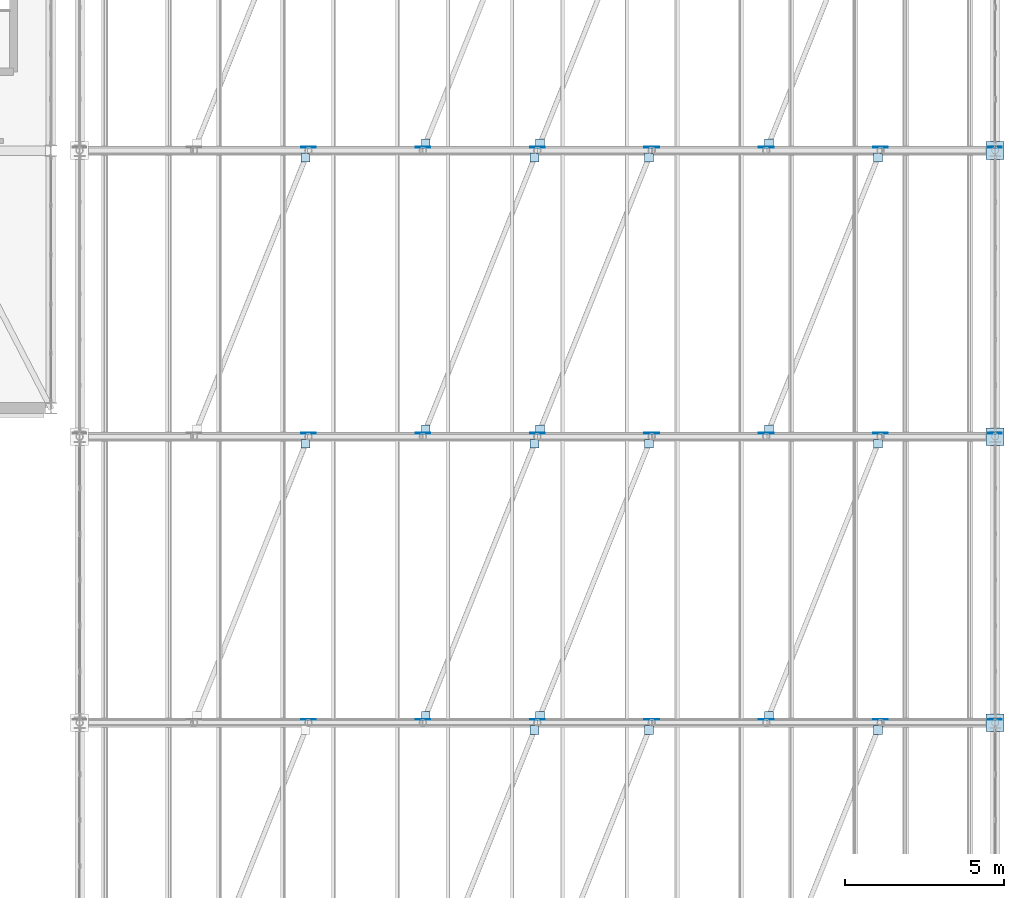
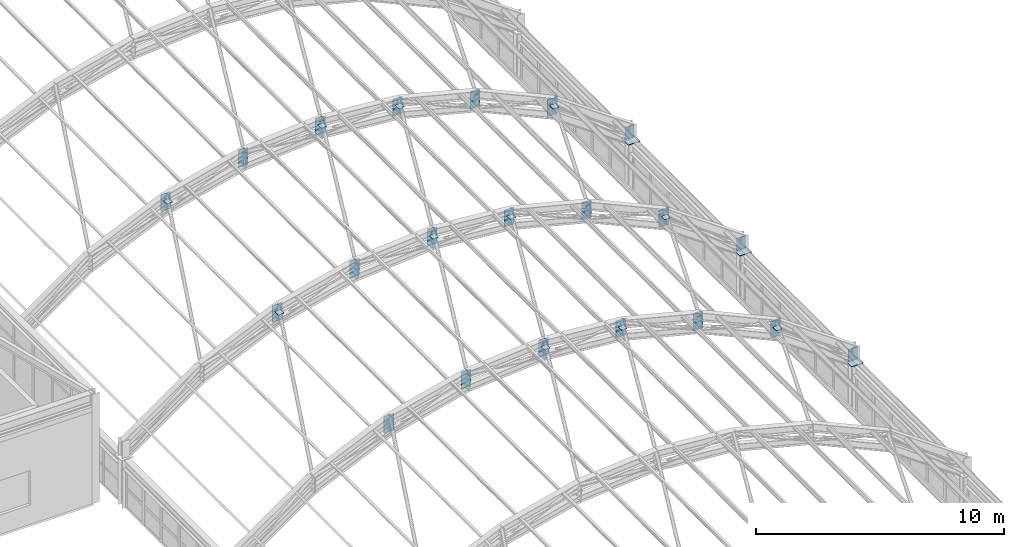
# One storey, part 112 of 121: 44 plates.
"""IFC4 building model written with IfcOpenShell, lengths in metres."""

import ifcopenshell
import ifcopenshell.guid

model = None  # the IFC model being written
_history = None  # IfcOwnerHistory: only IFC2X3 demands one
_inside = {}  # id of a spatial element -> (the spatial element, [elements in it])
_under = {}  # id of a project, library or spatial element -> (it, [spatial elements below it])
_declared = {}  # id of a project -> (the project, [libraries it declares])
_typed = {}  # id of a type object -> (the type object, [elements of that type])
_made_of = {}  # id of a material, layer set ... -> (it, [elements and type objects made of it])


def new_model(schema):
    """Start an empty IFC model of exactly this schema.

    Asked for "IFC4X3", IfcOpenShell would pick the latest addendum, in which some entities
    have other attributes; the version numbers below select the first issue.
    IFC2X3 requires an IfcOwnerHistory on every rooted entity: one is made here for all.
    """
    global model, _history
    if schema == "IFC4X3":
        model = ifcopenshell.file(schema_version=(4, 3, 0, 0))
    else:
        model = ifcopenshell.file(schema=schema)
    _inside.clear()
    _under.clear()
    _declared.clear()
    _typed.clear()
    _made_of.clear()
    _history = None
    if model.schema == "IFC2X3":
        org = make("IfcOrganization", Name="unknown")
        user = make(
            "IfcPersonAndOrganization",
            ThePerson=make("IfcPerson", FamilyName="unknown"),
            TheOrganization=org,
        )
        app = make(
            "IfcApplication",
            ApplicationDeveloper=org,
            Version="unknown",
            ApplicationFullName="unknown",
            ApplicationIdentifier="unknown",
        )
        _history = make(
            "IfcOwnerHistory",
            OwningUser=user,
            OwningApplication=app,
            ChangeAction="ADDED",
            CreationDate=0,
        )
    return model


def make(cls, **values):
    """One entity of the class cls with the attributes given. An attribute that is None is left unset."""
    return model.create_entity(
        cls, **{name: value for name, value in values.items() if value is not None}
    )


def rooted(cls, **values):
    """An entity with a GlobalId (a new one), such as an element, a storey or a relation."""
    return make(cls, GlobalId=ifcopenshell.guid.new(), OwnerHistory=_history, **values)


def si_unit(unit_type, name, prefix=None):
    """IfcSIUnit, for example si_unit("LENGTHUNIT", "METRE", prefix="MILLI")."""
    return make("IfcSIUnit", UnitType=unit_type, Prefix=prefix, Name=name)


def assignment(units):
    """IfcUnitAssignment: the units of a project."""
    return None if units is None else make("IfcUnitAssignment", Units=units)


def point(xyz):
    """IfcCartesianPoint."""
    return None if xyz is None else make("IfcCartesianPoint", Coordinates=xyz)


def direction(xyz):
    """IfcDirection."""
    return None if xyz is None else make("IfcDirection", DirectionRatios=xyz)


def frame(location, z_axis=None, x_axis=None):
    """IfcAxis2Placement3D, a coordinate frame: its origin and axes. An axis left out is left unset."""
    return make(
        "IfcAxis2Placement3D",
        Location=point(location),
        Axis=direction(z_axis),
        RefDirection=direction(x_axis),
    )


def frame_2d(location, x_axis=None):
    """IfcAxis2Placement2D, a coordinate frame in the plane: its origin and x axis."""
    return make(
        "IfcAxis2Placement2D", Location=point(location), RefDirection=direction(x_axis)
    )


def origin():
    """The frame at (0, 0, 0) with its axes left unset."""
    return frame((0.0, 0.0, 0.0))


def origin_2d():
    """The frame at (0, 0) in the plane with its x axis left unset."""
    return frame_2d((0.0, 0.0))


def place(relative_to, where):
    """IfcLocalPlacement: puts the frame where relative to a parent placement (None: the world)."""
    return make(
        "IfcLocalPlacement", PlacementRelTo=relative_to, RelativePlacement=where
    )


def context(
    kind, dimensions, precision=None, world=None, true_north=None, identifier=None
):
    """IfcGeometricRepresentationContext, for example the 3D "Model" context."""
    return make(
        "IfcGeometricRepresentationContext",
        ContextIdentifier=identifier,
        ContextType=kind,
        CoordinateSpaceDimension=dimensions,
        Precision=precision,
        WorldCoordinateSystem=world,
        TrueNorth=true_north,
    )


def subcontext(parent, identifier, kind, view, scale=None):
    """IfcGeometricRepresentationSubContext, for example "Body" below "Model"."""
    return make(
        "IfcGeometricRepresentationSubContext",
        ContextIdentifier=identifier,
        ContextType=kind,
        ParentContext=parent,
        TargetScale=scale,
        TargetView=view,
    )


def project(units=None, contexts=None):
    """IfcProject with its units and contexts."""
    return rooted(
        "IfcProject",
        Name="project",
        RepresentationContexts=contexts,
        UnitsInContext=assignment(units),
    )


def spatial(cls, under=None, at=None, **own):
    """A site, building, storey or space (cls), placed at a placement, below another one or the project."""
    s = rooted(cls, ObjectPlacement=at, **own)
    if under is not None:
        _under.setdefault(under.id(), (under, []))[1].append(s)
    return s


def profile(cls, at=None, kind="AREA", **sizes):
    """A parametric profile (cls). Its sizes go by their IFC names, for example OverallWidth=200.0."""
    return make(cls, ProfileType=kind, Position=at, **sizes)


def rectangle(**sizes):
    """IfcRectangleProfileDef."""
    return profile("IfcRectangleProfileDef", **sizes)


def extrude(swept, where, along, depth):
    """IfcExtrudedAreaSolid: the profile swept, set in the frame where, extruded along a direction by depth."""
    return make(
        "IfcExtrudedAreaSolid",
        SweptArea=swept,
        Position=where,
        ExtrudedDirection=direction(along),
        Depth=depth,
    )


def shape(context_of_items, identifier, shape_type, items):
    """IfcShapeRepresentation: the items that make up one representation, for example the "Body"."""
    return make(
        "IfcShapeRepresentation",
        ContextOfItems=context_of_items,
        RepresentationIdentifier=identifier,
        RepresentationType=shape_type,
        Items=items,
    )


def material(Name=None, Category=None):
    """IfcMaterial."""
    return make("IfcMaterial", Name=Name, Category=Category)


def layer(
    of_material, thickness, ventilated=None, Name=None, Category=None, Priority=None
):
    """IfcMaterialLayer: one layer of a wall or slab, of a material (None: an air gap)."""
    return make(
        "IfcMaterialLayer",
        Material=of_material,
        LayerThickness=thickness,
        IsVentilated=ventilated,
        Name=Name,
        Category=Category,
        Priority=Priority,
    )


def layer_set(layers, Name=None):
    """IfcMaterialLayerSet."""
    return make("IfcMaterialLayerSet", MaterialLayers=layers, LayerSetName=Name)


def made_of(thing, what):
    """Note that an element or type object is made of a material, layer set ...; save() writes the relation."""
    if what is not None:
        _made_of.setdefault(what.id(), (what, []))[1].append(thing)
    return thing


def type_object(cls, material=None, **own):
    """A type object (cls), such as IfcWallType, which elements share."""
    return made_of(rooted(cls, **own), material)


def element(
    cls,
    number,
    at=None,
    inside=None,
    cuts=None,
    type_object=None,
    material=None,
    context=None,
    identifier="Body",
    shape_type=None,
    held_by="IfcProductDefinitionShape",
    body=None,
    shapes=None,
    **own,
):
    """One element of the class cls, such as IfcWall. Its Tag is "e" and its number.

    at: its placement. inside: the storey or other place that contains it. cuts: it is an
    opening in that element (IfcRelVoidsElement). A single representation is given by context,
    identifier, shape_type and body (its items); several are given by shapes. held_by: the class
    of the entity that holds the representations. save() writes the other relations.
    """
    e = rooted(cls, Tag="e%d" % number, ObjectPlacement=at, **own)
    if body is not None:
        shapes = [shape(context, identifier, shape_type, body)]
    if shapes is not None:
        e.Representation = make(held_by, Representations=shapes)
    if inside is not None:
        _inside.setdefault(inside.id(), (inside, []))[1].append(e)
    if cuts is not None:
        rooted(
            "IfcRelVoidsElement", RelatingBuildingElement=cuts, RelatedOpeningElement=e
        )
    if type_object is not None:
        _typed.setdefault(type_object.id(), (type_object, []))[1].append(e)
    return made_of(e, material)


def aggregate(whole, parts):
    """IfcRelAggregates: a whole, such as a stair, and the parts it consists of."""
    return rooted("IfcRelAggregates", RelatingObject=whole, RelatedObjects=parts)


def save(model, path):
    """Write the relations noted so far, then the file.

    IfcRelAggregates (storeys below a building ...), IfcRelContainedInSpatialStructure (elements
    in a storey), IfcRelDefinesByType, IfcRelAssociatesMaterial and IfcRelDeclares: one each for
    every whole, place, type object, material and project.
    """
    for whole, parts in _under.values():
        aggregate(whole, parts)
    for where, things in _inside.values():
        rooted(
            "IfcRelContainedInSpatialStructure",
            RelatedElements=things,
            RelatingStructure=where,
        )
    for kind, things in _typed.values():
        rooted("IfcRelDefinesByType", RelatedObjects=things, RelatingType=kind)
    for what, things in _made_of.values():
        rooted("IfcRelAssociatesMaterial", RelatedObjects=things, RelatingMaterial=what)
    for by, libraries in _declared.values():
        rooted("IfcRelDeclares", RelatingContext=by, RelatedDefinitions=libraries)
    model.write(path)


model = new_model("IFC4")

# Units and contexts
model_context = context("Model", 3, precision=1e-05, world=origin(), true_north=direction((0.0, 1.0)))
body_context = subcontext(model_context, "Body", "Model", "MODEL_VIEW")
ifc_project = project(units=[si_unit("LENGTHUNIT", "METRE"), si_unit("AREAUNIT", "SQUARE_METRE"), si_unit("VOLUMEUNIT", "CUBIC_METRE"), si_unit("PLANEANGLEUNIT", "RADIAN"), si_unit("MASSUNIT", "GRAM", prefix="KILO")], contexts=[model_context])

# Site, building, storey
site_placement = place(None, origin())
site = spatial("IfcSite", under=ifc_project, at=site_placement, CompositionType="ELEMENT")
building_placement = place(site_placement, origin())
building = spatial("IfcBuilding", under=site, at=building_placement, Name="Canglan Escarpment Cableway Terminal", CompositionType="ELEMENT")
storey_placement = place(building_placement, frame((0.0, 0.0, 24.60009765625)))
storey = spatial("IfcBuildingStorey", under=building, at=storey_placement, Name="L05", CompositionType="ELEMENT", Elevation=24.60009765625)

# Plates
ifc_material = material(Name="Steel Q355B", Category="steel")
ifc_layer_1 = layer(ifc_material, 0.031982421875, Name="Steel Q355B")
ifc_layer_set_1 = layer_set([ifc_layer_1], Name="Steel Q355B")
plate_type_1 = type_object("IfcPlateType", Name="PLT-BASE-32", PredefinedType="USERDEFINED", material=ifc_layer_set_1)
for number, where, z_axis, x_axis, name in (
    (1, (166.39990234375, 79.0, 2.4326171875), (0.0, 0.0, 1.0), (1.0, 0.0, 0.0), "Arch springing base plate BP-01"),
    (2, (166.39990234375, 88.0, 2.4326171875), (0.0, 0.0, 1.0), (1.0, 0.0, 0.0), "Arch springing base plate BP-01"),
    (3, (166.39990234375, 97.0, 2.4326171875), (0.0, 0.0, 1.0), (1.0, 0.0, 0.0), "Arch springing base plate BP-01"),
):
    element("IfcPlate", number, at=place(storey_placement, frame(where, z_axis=z_axis, x_axis=x_axis)), inside=storey, type_object=plate_type_1, Name=name, ObjectType="BASE PLATE", PredefinedType="USERDEFINED", context=body_context, shape_type="SweptSolid", body=[
        extrude(rectangle(XDim=0.56005859375, YDim=0.56005859375, at=origin_2d()), origin(), (0.0, 0.0, 1.0), 0.031982421875),
    ])
ifc_layer_2 = layer(ifc_material, 0.01611328125, Name="Steel Q355B")
ifc_layer_set_2 = layer_set([ifc_layer_2], Name="Steel Q355B")
plate_type_2 = type_object("IfcPlateType", Name="PLT-GUSSET-16", PredefinedType="USERDEFINED", material=ifc_layer_set_2)
for number, where, z_axis, x_axis, name in (
    (4, (151.910888671875, 78.777099609375, 8.351806640625), (0.0, 0.0, 1.0), (1.0, 0.0, 0.0), "Roof wind brace end gusset plate GP-03"),
    (5, (155.510986328125, 78.777099609375, 8.055419921875), (0.0, 0.0, 1.0), (1.0, 0.0, 0.0), "Roof wind brace end gusset plate GP-03"),
    (6, (162.7109375, 78.777099609375, 5.5185546875), (0.0, 0.0, 1.0), (1.0, 0.0, 0.0), "Roof wind brace end gusset plate GP-03"),
    (7, (144.7109375, 87.777099609375, 7.140380859375), (0.0, 0.0, 1.0), (1.0, 0.0, 0.0), "Roof wind brace end gusset plate GP-03"),
    (8, (148.489013671875, 79.222900390625, 8.055419921875), (0.0, 0.0, 1.0), (1.0, 0.0, 0.0), "Roof wind brace end gusset plate GP-03"),
    (9, (151.910888671875, 87.777099609375, 8.351806640625), (0.0, 0.0, 1.0), (1.0, 0.0, 0.0), "Roof wind brace end gusset plate GP-03"),
    (10, (152.089111328125, 79.222900390625, 8.351806640625), (0.0, 0.0, 1.0), (1.0, 0.0, 0.0), "Roof wind brace end gusset plate GP-03"),
    (11, (155.510986328125, 87.777099609375, 8.055419921875), (0.0, 0.0, 1.0), (1.0, 0.0, 0.0), "Roof wind brace end gusset plate GP-03"),
    (12, (159.2890625, 79.222900390625, 7.140380859375), (0.0, 0.0, 1.0), (1.0, 0.0, 0.0), "Roof wind brace end gusset plate GP-03"),
    (13, (162.7109375, 87.777099609375, 5.5185546875), (0.0, 0.0, 1.0), (1.0, 0.0, 0.0), "Roof wind brace end gusset plate GP-03"),
    (14, (144.7109375, 96.777099609375, 7.140380859375), (0.0, 0.0, 1.0), (1.0, 0.0, 0.0), "Roof wind brace end gusset plate GP-03"),
    (15, (148.489013671875, 88.222900390625, 8.055419921875), (0.0, 0.0, 1.0), (1.0, 0.0, 0.0), "Roof wind brace end gusset plate GP-03"),
    (16, (151.910888671875, 96.777099609375, 8.351806640625), (0.0, 0.0, 1.0), (1.0, 0.0, 0.0), "Roof wind brace end gusset plate GP-03"),
    (17, (152.089111328125, 88.222900390625, 8.351806640625), (0.0, 0.0, 1.0), (1.0, 0.0, 0.0), "Roof wind brace end gusset plate GP-03"),
    (18, (155.510986328125, 96.777099609375, 8.055419921875), (0.0, 0.0, 1.0), (1.0, 0.0, 0.0), "Roof wind brace end gusset plate GP-03"),
    (19, (159.2890625, 88.222900390625, 7.140380859375), (0.0, 0.0, 1.0), (1.0, 0.0, 0.0), "Roof wind brace end gusset plate GP-03"),
    (20, (162.7109375, 96.777099609375, 5.5185546875), (0.0, 0.0, 1.0), (1.0, 0.0, 0.0), "Roof wind brace end gusset plate GP-03"),
    (21, (148.489013671875, 97.222900390625, 8.055419921875), (0.0, 0.0, 1.0), (1.0, 0.0, 0.0), "Roof wind brace end gusset plate GP-03"),
    (22, (152.089111328125, 97.222900390625, 8.351806640625), (0.0, 0.0, 1.0), (1.0, 0.0, 0.0), "Roof wind brace end gusset plate GP-03"),
    (23, (159.2890625, 97.222900390625, 7.140380859375), (0.0, 0.0, 1.0), (1.0, 0.0, 0.0), "Roof wind brace end gusset plate GP-03"),
):
    element("IfcPlate", number, at=place(storey_placement, frame(where, z_axis=z_axis, x_axis=x_axis)), inside=storey, type_object=plate_type_2, Name=name, ObjectType="GUSSET PLATE", PredefinedType="USERDEFINED", context=body_context, shape_type="SweptSolid", body=[
        extrude(rectangle(XDim=0.280029296875, YDim=0.280029296875, at=origin_2d()), origin(), (0.0, 0.0, 1.0), 0.01611328125),
    ])
ifc_layer_3 = layer(ifc_material, 0.02392578125, Name="Steel Q355B")
ifc_layer_set_3 = layer_set([ifc_layer_3], Name="Steel Q355B")
plate_type_3 = type_object("IfcPlateType", Name="PLT-GUSSET-24", PredefinedType="USERDEFINED", material=ifc_layer_set_3)
for number, where, z_axis, x_axis, name in (
    (24, (144.800048828125, 79.10498046875, 6.498291015625), (0.0, 0.0, 1.0), (1.0, 0.0, 0.0), "Arch-truss node gusset plate GP-01"),
    (25, (148.39990234375, 79.10498046875, 7.413330078125), (0.0, 0.0, 1.0), (1.0, 0.0, 0.0), "Arch-truss node gusset plate GP-01"),
    (26, (152.0, 79.10498046875, 7.7099609375), (0.0, 0.0, 1.0), (1.0, 0.0, 0.0), "Arch-truss node gusset plate GP-01"),
    (27, (155.60009765625, 79.10498046875, 7.413330078125), (0.0, 0.0, 1.0), (1.0, 0.0, 0.0), "Arch-truss node gusset plate GP-01"),
    (28, (159.199951171875, 79.10498046875, 6.498291015625), (0.0, 0.0, 1.0), (1.0, 0.0, 0.0), "Arch-truss node gusset plate GP-01"),
    (29, (162.800048828125, 79.10498046875, 4.87646484375), (0.0, 0.0, 1.0), (1.0, 0.0, 0.0), "Arch-truss node gusset plate GP-01"),
):
    element("IfcPlate", number, at=place(storey_placement, frame(where, z_axis=z_axis, x_axis=x_axis)), inside=storey, type_object=plate_type_3, Name=name, ObjectType="GUSSET PLATE", PredefinedType="USERDEFINED", context=body_context, shape_type="SweptSolid", body=[
        extrude(rectangle(XDim=0.4599609375, YDim=0.02392578125, at=origin_2d()), origin(), (0.0, 0.0, 1.0), 0.830078125),
    ])
plate_1_placement = place(storey_placement, frame((166.39990234375, 79.10498046875, 2.4521484375), z_axis=(0.0, 0.0, 1.0), x_axis=(1.0, 0.0, 0.0)))
element("IfcPlate", 30, at=plate_1_placement, inside=storey, type_object=plate_type_3, Name="Arch-truss springing gusset plate GP-01", ObjectType="GUSSET PLATE", PredefinedType="USERDEFINED", context=body_context, shape_type="SweptSolid", body=[
    extrude(rectangle(XDim=0.419921875, YDim=0.02392578125, at=origin_2d()), origin(), (0.0, 0.0, 1.0), 0.610107421875),
])
for number, where, z_axis, x_axis, name in (
    (31, (144.800048828125, 88.10498046875, 6.498291015625), (0.0, 0.0, 1.0), (1.0, 0.0, 0.0), "Arch-truss node gusset plate GP-01"),
    (32, (148.39990234375, 88.10498046875, 7.413330078125), (0.0, 0.0, 1.0), (1.0, 0.0, 0.0), "Arch-truss node gusset plate GP-01"),
    (33, (152.0, 88.10498046875, 7.7099609375), (0.0, 0.0, 1.0), (1.0, 0.0, 0.0), "Arch-truss node gusset plate GP-01"),
    (34, (155.60009765625, 88.10498046875, 7.413330078125), (0.0, 0.0, 1.0), (1.0, 0.0, 0.0), "Arch-truss node gusset plate GP-01"),
    (35, (159.199951171875, 88.10498046875, 6.498291015625), (0.0, 0.0, 1.0), (1.0, 0.0, 0.0), "Arch-truss node gusset plate GP-01"),
    (36, (162.800048828125, 88.10498046875, 4.87646484375), (0.0, 0.0, 1.0), (1.0, 0.0, 0.0), "Arch-truss node gusset plate GP-01"),
):
    element("IfcPlate", number, at=place(storey_placement, frame(where, z_axis=z_axis, x_axis=x_axis)), inside=storey, type_object=plate_type_3, Name=name, ObjectType="GUSSET PLATE", PredefinedType="USERDEFINED", context=body_context, shape_type="SweptSolid", body=[
        extrude(rectangle(XDim=0.4599609375, YDim=0.02392578125, at=origin_2d()), origin(), (0.0, 0.0, 1.0), 0.830078125),
    ])
plate_2_placement = place(storey_placement, frame((166.39990234375, 88.10498046875, 2.4521484375), z_axis=(0.0, 0.0, 1.0), x_axis=(1.0, 0.0, 0.0)))
element("IfcPlate", 37, at=plate_2_placement, inside=storey, type_object=plate_type_3, Name="Arch-truss springing gusset plate GP-01", ObjectType="GUSSET PLATE", PredefinedType="USERDEFINED", context=body_context, shape_type="SweptSolid", body=[
    extrude(rectangle(XDim=0.419921875, YDim=0.02392578125, at=origin_2d()), origin(), (0.0, 0.0, 1.0), 0.610107421875),
])
for number, where, z_axis, x_axis, name in (
    (38, (144.800048828125, 97.10498046875, 6.498291015625), (0.0, 0.0, 1.0), (1.0, 0.0, 0.0), "Arch-truss node gusset plate GP-01"),
    (39, (148.39990234375, 97.10498046875, 7.413330078125), (0.0, 0.0, 1.0), (1.0, 0.0, 0.0), "Arch-truss node gusset plate GP-01"),
    (40, (152.0, 97.10498046875, 7.7099609375), (0.0, 0.0, 1.0), (1.0, 0.0, 0.0), "Arch-truss node gusset plate GP-01"),
    (41, (155.60009765625, 97.10498046875, 7.413330078125), (0.0, 0.0, 1.0), (1.0, 0.0, 0.0), "Arch-truss node gusset plate GP-01"),
    (42, (159.199951171875, 97.10498046875, 6.498291015625), (0.0, 0.0, 1.0), (1.0, 0.0, 0.0), "Arch-truss node gusset plate GP-01"),
    (43, (162.800048828125, 97.10498046875, 4.87646484375), (0.0, 0.0, 1.0), (1.0, 0.0, 0.0), "Arch-truss node gusset plate GP-01"),
):
    element("IfcPlate", number, at=place(storey_placement, frame(where, z_axis=z_axis, x_axis=x_axis)), inside=storey, type_object=plate_type_3, Name=name, ObjectType="GUSSET PLATE", PredefinedType="USERDEFINED", context=body_context, shape_type="SweptSolid", body=[
        extrude(rectangle(XDim=0.4599609375, YDim=0.02392578125, at=origin_2d()), origin(), (0.0, 0.0, 1.0), 0.830078125),
    ])
plate_3_placement = place(storey_placement, frame((166.39990234375, 97.10498046875, 2.4521484375), z_axis=(0.0, 0.0, 1.0), x_axis=(1.0, 0.0, 0.0)))
element("IfcPlate", 44, at=plate_3_placement, inside=storey, type_object=plate_type_3, Name="Arch-truss springing gusset plate GP-01", ObjectType="GUSSET PLATE", PredefinedType="USERDEFINED", context=body_context, shape_type="SweptSolid", body=[
    extrude(rectangle(XDim=0.419921875, YDim=0.02392578125, at=origin_2d()), origin(), (0.0, 0.0, 1.0), 0.610107421875),
])

save(model, "model.ifc")
